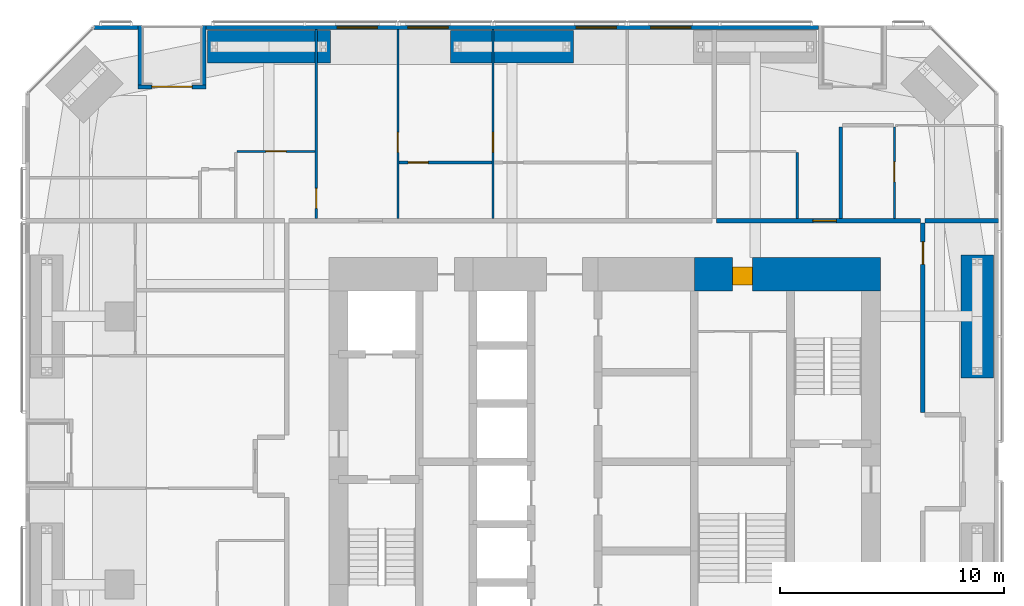
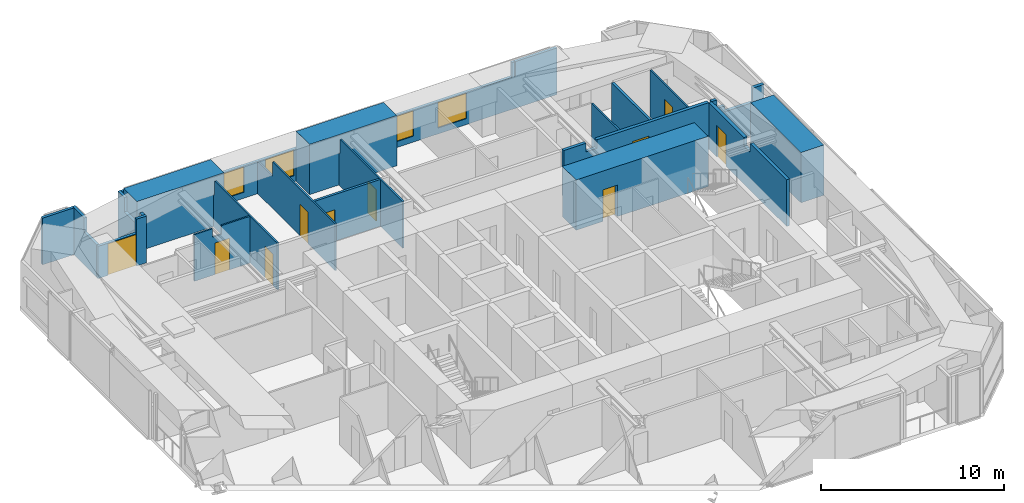
# One storey, part 21 of 23: 21 walls, 10 doors, 4 windows, 14 openings.
"""IFC4 building model written with IfcOpenShell, lengths in metres."""

from ifc_helpers import new_model, si_unit, direction, frame, frame_2d, origin, place, context, subcontext, project, spatial, polyline, rectangle, outline, extrude, material, layer, layer_set, constituent, constituent_set, type_object, element, fill, save


model = new_model("IFC4")

# Units and contexts
model_context = context("Model", 3, precision=1e-05, world=origin(), true_north=direction((0.0, 1.0)))
body_context = subcontext(model_context, "Body", "Model", "MODEL_VIEW")
ifc_project = project(units=[si_unit("LENGTHUNIT", "METRE"), si_unit("AREAUNIT", "SQUARE_METRE"), si_unit("VOLUMEUNIT", "CUBIC_METRE"), si_unit("PLANEANGLEUNIT", "RADIAN"), si_unit("MASSUNIT", "GRAM", prefix="KILO")], contexts=[model_context])

# Site, building, storey
site_placement = place(None, origin())
site = spatial("IfcSite", under=ifc_project, at=site_placement, CompositionType="ELEMENT")
building_placement = place(site_placement, origin())
building = spatial("IfcBuilding", under=site, at=building_placement, Name="Jalousie Tower", CompositionType="ELEMENT")
storey_placement = place(building_placement, frame((0.0, 0.0, 118.25)))
storey = spatial("IfcBuildingStorey", under=building, at=storey_placement, Name="L32", CompositionType="ELEMENT", Elevation=118.25)

# Wall, opening, door
ifc_material_1 = material(Name="Concrete block ASTM C90", Category="concrete")
ifc_constituent_1 = constituent(ifc_material_1, Name="Body")
ifc_material_2 = material(Name="Render")
ifc_constituent_2 = constituent(ifc_material_2, Name="Finish")
ifc_constituent_set_1 = constituent_set(constituents=[ifc_constituent_1, ifc_constituent_2])
wall_type_1 = type_object("IfcWallType", Name="BATHROOM WALL 150", PredefinedType="PLUMBINGWALL", material=ifc_constituent_set_1)
wall_1_placement = place(storey_placement, frame((22.699951171875, 31.875, 0.0), z_axis=(0.0, 0.0, 1.0), x_axis=(1.0, 0.0, 0.0)))
wall_1 = element("IfcWall", 1, at=wall_1_placement, inside=storey, type_object=wall_type_1, Name="Bathroom Wall 150 L32", PredefinedType="PLUMBINGWALL", context=body_context, shape_type="SweptSolid", body=[
    extrude(rectangle(XDim=4.150146484375, YDim=0.14990234375, at=frame_2d((2.0751953125, 0.0))), origin(), (0.0, 0.0, 1.0), 3.110107421875),
])
opening_1_placement = place(wall_1_placement, frame((0.39990234375, 0.0, 0.0)))
opening_1 = element("IfcOpeningElement", 2, at=opening_1_placement, cuts=wall_1, Name="Opening D3", PredefinedType="OPENING", context=body_context, shape_type="SweptSolid", body=[
    extrude(rectangle(XDim=0.89990234375, YDim=2.10009765625, at=frame_2d((0.449951171875, 1.050048828125))), frame((0.0, 0.0849609375, 0.0), z_axis=(0.0, -1.0, 0.0), x_axis=(1.0, 0.0, 0.0)), (0.0, 0.0, 1.0), 0.169921875),
])
ifc_material_3 = material(Name="Timber door", Category="wood")
door_type_1 = type_object("IfcDoorType", Name="BATHROOM DOOR 900", OperationType="SINGLE_SWING_LEFT", PredefinedType="DOOR", material=ifc_material_3)
door_1_placement = place(opening_1_placement, frame((0.89990234375, 0.0, 0.0), z_axis=(0.0, 0.0, 1.0), x_axis=(-1.0, 0.0, 0.0)))
door_1 = element("IfcDoor", 3, at=door_1_placement, inside=storey, type_object=door_type_1, Name="Apartment 3203 bedroom 1 bathroom door", OperationType="SINGLE_SWING_RIGHT", OverallHeight=2.10009765625, OverallWidth=0.89990234375, PredefinedType="DOOR", context=body_context, shape_type="SweptSolid", body=[
    extrude(rectangle(XDim=0.89990234375, YDim=2.10009765625, at=frame_2d((0.449951171875, 1.050048828125))), frame((0.0, 0.02490234375, 0.0), z_axis=(0.0, -1.0, 0.0), x_axis=(1.0, 0.0, 0.0)), (0.0, 0.0, 1.0), 0.050048828125),
])
fill(opening_1, door_1)

# Wall
wall_2_placement = place(storey_placement, frame((42.449951171875, 33.461181640625, 0.0), z_axis=(0.0, 0.0, 1.0), x_axis=(0.0, -1.0, 0.0)))
element("IfcWall", 4, at=wall_2_placement, inside=storey, type_object=wall_type_1, Name="Bathroom Wall 150 L32", PredefinedType="PLUMBINGWALL", context=body_context, shape_type="SweptSolid", body=[
    extrude(rectangle(XDim=4.086181640625, YDim=0.14990234375, at=frame_2d((2.04296875, 0.0))), origin(), (0.0, 0.0, 1.0), 3.110107421875),
])

# Wall, opening, door
ifc_material_4 = material(Name="Concrete f'c 120 MPa", Category="concrete")
ifc_layer_1 = layer(ifc_material_4, 1.5)
ifc_layer_set_1 = layer_set([ifc_layer_1], Name="Concrete f'c 120 MPa")
wall_type_2 = type_object("IfcWallType", Name="CORE WALL 1500", PredefinedType="SHEAR", material=ifc_layer_set_1)
wall_3_placement = place(storey_placement, frame((44.22509765625, 26.875, 0.0), z_axis=(0.0, 0.0, 1.0), x_axis=(-1.0, 0.0, 0.0)))
wall_3 = element("IfcWall", 5, at=wall_3_placement, inside=storey, type_object=wall_type_2, Name="Core wall NA L32", PredefinedType="SHEAR", context=body_context, shape_type="SweptSolid", body=[
    extrude(rectangle(XDim=8.3251953125, YDim=1.5, at=frame_2d((4.16259765625, 0.0))), origin(), (0.0, 0.0, 1.0), 3.35009765625),
])
opening_2_placement = place(wall_3_placement, frame((5.72509765625, 0.0, 0.0)))
opening_2 = element("IfcOpeningElement", 6, at=opening_2_placement, cuts=wall_3, Name="Opening D25", PredefinedType="OPENING", context=body_context, shape_type="SweptSolid", body=[
    extrude(rectangle(XDim=0.89990234375, YDim=2.10009765625, at=frame_2d((0.449951171875, 1.050048828125))), frame((0.0, 0.760009765625, 0.0), z_axis=(0.0, -1.0, 0.0), x_axis=(1.0, 0.0, 0.0)), (0.0, 0.0, 1.0), 1.52001953125),
])
ifc_material_5 = material(Name="Steel fire door", Category="steel")
door_type_2 = type_object("IfcDoorType", Name="SERVICE LOBBY DOOR 900", OperationType="SINGLE_SWING_LEFT", PredefinedType="DOOR", material=ifc_material_5)
door_2_placement = place(opening_2_placement, origin())
door_2 = element("IfcDoor", 7, at=door_2_placement, inside=storey, type_object=door_type_2, Name="Service lobby door", OperationType="SINGLE_SWING_LEFT", OverallHeight=2.10009765625, OverallWidth=0.89990234375, PredefinedType="DOOR", context=body_context, shape_type="SweptSolid", body=[
    extrude(rectangle(XDim=0.89990234375, YDim=2.10009765625, at=frame_2d((0.449951171875, 1.050048828125))), frame((0.0, 0.47021484375, 0.0), z_axis=(0.0, -1.0, 0.0), x_axis=(1.0, 0.0, 0.0)), (0.0, 0.0, 1.0), 0.800048828125),
])
fill(opening_2, door_2)

ifc_material_6 = material(Name="Concrete block ASTM C90", Category="concrete")
ifc_constituent_3 = constituent(ifc_material_6, Name="Body")
ifc_material_7 = material(Name="Render")
ifc_constituent_4 = constituent(ifc_material_7, Name="Finish")
ifc_constituent_set_2 = constituent_set(constituents=[ifc_constituent_3, ifc_constituent_4])
wall_type_3 = type_object("IfcWallType", Name="CORRIDOR WALL 200", PredefinedType="PARTITIONING", material=ifc_constituent_set_2)
wall_4_placement = place(storey_placement, frame((36.89990234375, 29.27490234375, 0.0), z_axis=(0.0, 0.0, 1.0), x_axis=(1.0, 0.0, 0.0)))
wall_4 = element("IfcWall", 8, at=wall_4_placement, inside=storey, type_object=wall_type_3, Name="Corridor Wall 200 L32", PredefinedType="PARTITIONING", context=body_context, shape_type="SweptSolid", body=[
    extrude(outline(polyline([(0.0, 0.0), (9.125, 0.0), (9.125, 3.110107421875), (2.0625, 3.110107421875), (2.0625, 2.541015625), (1.3876953125, 2.541015625), (1.3876953125, 3.110107421875), (0.0, 3.110107421875), (0.0, 0.0)])), frame((0.0, 0.10009765625, 0.0), z_axis=(0.0, -1.0, 0.0), x_axis=(1.0, 0.0, 0.0)), (0.0, 0.0, 1.0), 0.199951171875),
])
opening_3_placement = place(wall_4_placement, frame((4.300048828125, 0.0, 0.0)))
opening_3 = element("IfcOpeningElement", 9, at=opening_3_placement, cuts=wall_4, Name="Opening D1", PredefinedType="OPENING", context=body_context, shape_type="SweptSolid", body=[
    extrude(rectangle(XDim=1.050048828125, YDim=2.199951171875, at=frame_2d((0.52490234375, 1.10009765625))), frame((0.0, 0.10986328125, 0.0), z_axis=(0.0, -1.0, 0.0), x_axis=(1.0, 0.0, 0.0)), (0.0, 0.0, 1.0), 0.219970703125),
])
ifc_material_8 = material(Name="Timber fire door", Category="wood")
door_type_3 = type_object("IfcDoorType", Name="APARTMENT ENTRANCE DOOR 1050", OperationType="SINGLE_SWING_LEFT", PredefinedType="DOOR", material=ifc_material_8)
door_3_placement = place(opening_3_placement, origin())
door_3 = element("IfcDoor", 10, at=door_3_placement, inside=storey, type_object=door_type_3, Name="Apartment 3204 entrance", OperationType="SINGLE_SWING_RIGHT", OverallHeight=2.199951171875, OverallWidth=1.050048828125, PredefinedType="DOOR", context=body_context, shape_type="SweptSolid", body=[
    extrude(rectangle(XDim=1.050048828125, YDim=2.199951171875, at=frame_2d((0.52490234375, 1.10009765625))), frame((0.0, 0.02490234375, 0.0), z_axis=(0.0, -1.0, 0.0), x_axis=(1.0, 0.0, 0.0)), (0.0, 0.0, 1.0), 0.050048828125),
])
fill(opening_3, door_3)

wall_5_placement = place(storey_placement, frame((46.125, 20.699951171875, 0.0), z_axis=(0.0, 0.0, 1.0), x_axis=(0.0, 1.0, 0.0)))
wall_5 = element("IfcWall", 11, at=wall_5_placement, inside=storey, type_object=wall_type_3, Name="Corridor Wall 200 L32", PredefinedType="PARTITIONING", context=body_context, shape_type="SweptSolid", body=[
    extrude(outline(polyline([(0.0, 0.0), (8.47509765625, 0.0), (8.47509765625, 3.110107421875), (4.63720703125, 3.110107421875), (4.63720703125, 2.541015625), (3.962646484375, 2.541015625), (3.962646484375, 3.110107421875), (0.0, 3.110107421875), (0.0, 0.0)])), frame((0.0, 0.10009765625, 0.0), z_axis=(0.0, -1.0, 0.0), x_axis=(1.0, 0.0, 0.0)), (0.0, 0.0, 1.0), 0.199951171875),
])
opening_4_placement = place(wall_5_placement, frame((6.625, 0.0, 0.0)))
opening_4 = element("IfcOpeningElement", 12, at=opening_4_placement, cuts=wall_5, Name="Opening D21", PredefinedType="OPENING", context=body_context, shape_type="SweptSolid", body=[
    extrude(rectangle(XDim=1.0, YDim=2.10009765625, at=frame_2d((0.5, 1.050048828125))), frame((0.0, 0.10986328125, 0.0), z_axis=(0.0, -1.0, 0.0), x_axis=(1.0, 0.0, 0.0)), (0.0, 0.0, 1.0), 0.219970703125),
])
ifc_material_9 = material(Name="Timber fire door", Category="wood")
door_type_4 = type_object("IfcDoorType", Name="CORRIDOR DOOR 1000", OperationType="SINGLE_SWING_LEFT", PredefinedType="DOOR", material=ifc_material_9)
door_4_placement = place(opening_4_placement, frame((1.0, 0.0, 0.0), z_axis=(0.0, 0.0, 1.0), x_axis=(-1.0, 0.0, 0.0)))
door_4 = element("IfcDoor", 13, at=door_4_placement, inside=storey, type_object=door_type_4, Name="Lounge second door", OperationType="SINGLE_SWING_LEFT", OverallHeight=2.10009765625, OverallWidth=1.0, PredefinedType="DOOR", context=body_context, shape_type="SweptSolid", body=[
    extrude(rectangle(XDim=1.0, YDim=2.10009765625, at=frame_2d((0.5, 1.050048828125))), frame((0.0, 0.02490234375, 0.0), z_axis=(0.0, -1.0, 0.0), x_axis=(1.0, 0.0, 0.0)), (0.0, 0.0, 1.0), 0.050048828125),
])
fill(opening_4, door_4)

# Wall, openings, windows
ifc_material_10 = material(Name="Concrete f'c 40 MPa", Category="concrete")
ifc_constituent_5 = constituent(ifc_material_10, Name="Body")
ifc_material_11 = material(Name="Render, pastel sea green")
ifc_constituent_6 = constituent(ifc_material_11, Name="Finish")
ifc_constituent_set_3 = constituent_set(constituents=[ifc_constituent_5, ifc_constituent_6])
wall_type_4 = type_object("IfcWallType", Name="EXTERNAL WALL 175 SEA GREEN RENDER", PredefinedType="SOLIDWALL", material=ifc_constituent_set_3)
wall_6_placement = place(storey_placement, frame((41.44873046875, 37.91259765625, 0.0), z_axis=(0.0, 0.0, 1.0), x_axis=(-1.0, 0.0, 0.0)))
wall_6 = element("IfcWall", 14, at=wall_6_placement, inside=storey, type_object=wall_type_4, Name="External Wall 175 Sea Green Render L32", PredefinedType="SOLIDWALL", context=body_context, shape_type="SweptSolid", body=[
    extrude(outline(polyline([(0.0, 0.0), (27.373779296875, 0.0), (27.373779296875, 3.110107421875), (24.777099609375, 3.110107421875), (24.777099609375, 2.14990234375), (24.731689453125, 2.14990234375), (24.731689453125, 3.110107421875), (24.57373046875, 3.110107421875), (24.57373046875, 2.14990234375), (2.82373046875, 2.14990234375), (2.82373046875, 3.110107421875), (2.66552734375, 3.110107421875), (2.66552734375, 2.14990234375), (2.620361328125, 2.14990234375), (2.620361328125, 3.110107421875), (0.0, 3.110107421875), (0.0, 0.0)])), frame((0.0, 0.08740234375, 0.0), z_axis=(0.0, -1.0, 0.0), x_axis=(1.0, 0.0, 0.0)), (0.0, 0.0, 1.0), 0.175048828125),
])
opening_5_placement = place(wall_6_placement, frame((5.69873046875, 0.0, 0.39990234375)))
opening_5 = element("IfcOpeningElement", 15, at=opening_5_placement, cuts=wall_6, Name="Opening W-BED170", PredefinedType="OPENING", context=body_context, shape_type="SweptSolid", body=[
    extrude(rectangle(XDim=1.800048828125, YDim=1.699951171875, at=frame_2d((0.89990234375, 0.85009765625))), frame((0.0, 0.097412109375, 0.0), z_axis=(0.0, -1.0, 0.0), x_axis=(1.0, 0.0, 0.0)), (0.0, 0.0, 1.0), 0.195068359375),
])
opening_6_placement = place(wall_6_placement, frame((9.03369140625, 0.0, 0.39990234375)))
opening_6 = element("IfcOpeningElement", 16, at=opening_6_placement, cuts=wall_6, Name="Opening W-BED170", PredefinedType="OPENING", context=body_context, shape_type="SweptSolid", body=[
    extrude(rectangle(XDim=1.800048828125, YDim=1.699951171875, at=frame_2d((0.89990234375, 0.85009765625))), frame((0.0, 0.097412109375, 0.0), z_axis=(0.0, -1.0, 0.0), x_axis=(1.0, 0.0, 0.0)), (0.0, 0.0, 1.0), 0.195068359375),
])
opening_7_placement = place(wall_6_placement, frame((16.5576171875, 0.0, 0.39990234375)))
opening_7 = element("IfcOpeningElement", 17, at=opening_7_placement, cuts=wall_6, Name="Opening W-BED170", PredefinedType="OPENING", context=body_context, shape_type="SweptSolid", body=[
    extrude(rectangle(XDim=1.800048828125, YDim=1.699951171875, at=frame_2d((0.89990234375, 0.85009765625))), frame((0.0, 0.097412109375, 0.0), z_axis=(0.0, -1.0, 0.0), x_axis=(1.0, 0.0, 0.0)), (0.0, 0.0, 1.0), 0.195068359375),
])
opening_8_placement = place(wall_6_placement, frame((19.7236328125, 0.0, 0.39990234375)))
opening_8 = element("IfcOpeningElement", 18, at=opening_8_placement, cuts=wall_6, Name="Opening W-BED170", PredefinedType="OPENING", context=body_context, shape_type="SweptSolid", body=[
    extrude(rectangle(XDim=1.800048828125, YDim=1.699951171875, at=frame_2d((0.89990234375, 0.85009765625))), frame((0.0, 0.097412109375, 0.0), z_axis=(0.0, -1.0, 0.0), x_axis=(1.0, 0.0, 0.0)), (0.0, 0.0, 1.0), 0.195068359375),
])
ifc_material_12 = material(Name="Aluminium frame, impact-rated glazing", Category="aluminium")
window_type = type_object("IfcWindowType", Name="WINDOW BED 1800x1700", PartitioningType="SINGLE_PANEL", PredefinedType="WINDOW", material=ifc_material_12)
window_1_placement = place(opening_5_placement, origin())
window_1 = element("IfcWindow", 19, at=window_1_placement, inside=storey, type_object=window_type, Name="Apartment 3203 bedroom 3 window", OverallHeight=1.699951171875, OverallWidth=1.800048828125, PartitioningType="SINGLE_PANEL", PredefinedType="WINDOW", context=body_context, shape_type="SweptSolid", body=[
    extrude(rectangle(XDim=1.800048828125, YDim=1.699951171875, at=frame_2d((0.89990234375, 0.85009765625))), frame((0.0, 0.030029296875, 0.0), z_axis=(0.0, -1.0, 0.0), x_axis=(1.0, 0.0, 0.0)), (0.0, 0.0, 1.0), 0.06005859375),
])
fill(opening_5, window_1)
window_2_placement = place(opening_6_placement, origin())
window_2 = element("IfcWindow", 20, at=window_2_placement, inside=storey, type_object=window_type, Name="Apartment 3203 bedroom 2 window", OverallHeight=1.699951171875, OverallWidth=1.800048828125, PartitioningType="SINGLE_PANEL", PredefinedType="WINDOW", context=body_context, shape_type="SweptSolid", body=[
    extrude(rectangle(XDim=1.800048828125, YDim=1.699951171875, at=frame_2d((0.89990234375, 0.85009765625))), frame((0.0, 0.030029296875, 0.0), z_axis=(0.0, -1.0, 0.0), x_axis=(1.0, 0.0, 0.0)), (0.0, 0.0, 1.0), 0.06005859375),
])
fill(opening_6, window_2)
window_3_placement = place(opening_7_placement, origin())
window_3 = element("IfcWindow", 21, at=window_3_placement, inside=storey, type_object=window_type, Name="Apartment 3203 bedroom 1 window", OverallHeight=1.699951171875, OverallWidth=1.800048828125, PartitioningType="SINGLE_PANEL", PredefinedType="WINDOW", context=body_context, shape_type="SweptSolid", body=[
    extrude(rectangle(XDim=1.800048828125, YDim=1.699951171875, at=frame_2d((0.89990234375, 0.85009765625))), frame((0.0, 0.030029296875, 0.0), z_axis=(0.0, -1.0, 0.0), x_axis=(1.0, 0.0, 0.0)), (0.0, 0.0, 1.0), 0.06005859375),
])
fill(opening_7, window_3)
window_4_placement = place(opening_8_placement, origin())
window_4 = element("IfcWindow", 22, at=window_4_placement, inside=storey, type_object=window_type, Name="Apartment 3203 study window", OverallHeight=1.699951171875, OverallWidth=1.800048828125, PartitioningType="SINGLE_PANEL", PredefinedType="WINDOW", context=body_context, shape_type="SweptSolid", body=[
    extrude(rectangle(XDim=1.800048828125, YDim=1.699951171875, at=frame_2d((0.89990234375, 0.85009765625))), frame((0.0, 0.030029296875, 0.0), z_axis=(0.0, -1.0, 0.0), x_axis=(1.0, 0.0, 0.0)), (0.0, 0.0, 1.0), 0.06005859375),
])
fill(opening_8, window_4)

# Walls
wall_7_placement = place(storey_placement, frame((11.02490234375, 37.91259765625, 0.0), z_axis=(0.0, 0.0, 1.0), x_axis=(-1.0, 0.0, 0.0)))
element("IfcWall", 23, at=wall_7_placement, inside=storey, type_object=wall_type_4, Name="External Wall 175 Sea Green Render L32", PredefinedType="SOLIDWALL", context=body_context, shape_type="SweptSolid", body=[
    extrude(rectangle(XDim=1.9736328125, YDim=0.175048828125, at=frame_2d((0.98681640625, 0.0))), origin(), (0.0, 0.0, 1.0), 3.110107421875),
])
wall_8_placement = place(storey_placement, frame((14.074951171875, 35.262451171875, 0.0), z_axis=(0.0, 0.0, 1.0), x_axis=(-1.0, 0.0, 0.0)))
element("IfcWall", 24, at=wall_8_placement, inside=storey, type_object=wall_type_4, Name="External Wall 175 Sea Green Render L32-A", PredefinedType="SOLIDWALL", context=body_context, shape_type="SweptSolid", body=[
    extrude(rectangle(XDim=0.625, YDim=0.175048828125, at=frame_2d((0.3125, 0.0))), origin(), (0.0, 0.0, 1.0), 3.110107421875),
])

# Wall, opening, door
wall_9_placement = place(storey_placement, frame((13.449951171875, 35.262451171875, 0.0), z_axis=(0.0, 0.0, 1.0), x_axis=(-1.0, 0.0, 0.0)))
wall_9 = element("IfcWall", 25, at=wall_9_placement, inside=storey, type_object=wall_type_4, Name="External Wall 175 Sea Green Render L32-B", PredefinedType="SOLIDWALL", context=body_context, shape_type="SweptSolid", body=[
    extrude(rectangle(XDim=2.425048828125, YDim=0.175048828125, at=frame_2d((1.21240234375, 0.0))), origin(), (0.0, 0.0, 1.0), 2.14990234375),
])
opening_9_placement = place(wall_9_placement, origin())
opening_9 = element("IfcOpeningElement", 26, at=opening_9_placement, cuts=wall_9, Name="Opening D-BAL21", PredefinedType="OPENING", context=body_context, shape_type="SweptSolid", body=[
    extrude(rectangle(XDim=1.800048828125, YDim=2.10009765625, at=frame_2d((0.89990234375, 1.050048828125))), frame((0.0, 0.097412109375, 0.0), z_axis=(0.0, -1.0, 0.0), x_axis=(1.0, 0.0, 0.0)), (0.0, 0.0, 1.0), 0.195068359375),
])
ifc_material_13 = material(Name="Aluminium frame, impact-rated glazing", Category="aluminium")
door_type_5 = type_object("IfcDoorType", Name="BALCONY DOOR 1800x2100", OperationType="SLIDING_TO_LEFT", PredefinedType="DOOR", material=ifc_material_13)
door_5_placement = place(opening_9_placement, origin())
door_5 = element("IfcDoor", 27, at=door_5_placement, inside=storey, type_object=door_type_5, Name="Apartment 3203 living and dining room loggia door", OperationType="SLIDING_TO_LEFT", OverallHeight=2.10009765625, OverallWidth=1.800048828125, PredefinedType="DOOR", context=body_context, shape_type="SweptSolid", body=[
    extrude(rectangle(XDim=1.800048828125, YDim=2.10009765625, at=frame_2d((0.89990234375, 1.050048828125))), frame((0.0, 0.02490234375, 0.0), z_axis=(0.0, -1.0, 0.0), x_axis=(1.0, 0.0, 0.0)), (0.0, 0.0, 1.0), 0.050048828125),
])
fill(opening_9, door_5)

# Walls
wall_10_placement = place(storey_placement, frame((13.987548828125, 38.0, 0.0), z_axis=(0.0, 0.0, 1.0), x_axis=(0.0, -1.0, 0.0)))
element("IfcWall", 28, at=wall_10_placement, inside=storey, type_object=wall_type_4, Name="External Wall 175 Sea Green Render L32", PredefinedType="SOLIDWALL", context=body_context, shape_type="SweptSolid", body=[
    extrude(outline(polyline([(0.0, 0.0), (2.64990234375, 0.0), (2.64990234375, 3.110107421875), (2.373291015625, 3.110107421875), (2.373291015625, 2.14990234375), (0.70458984375, 2.14990234375), (0.70458984375, 3.110107421875), (0.0, 3.110107421875), (0.0, 0.0)])), frame((0.0, 0.08740234375, 0.0), z_axis=(0.0, -1.0, 0.0), x_axis=(1.0, 0.0, 0.0)), (0.0, 0.0, 1.0), 0.175048828125),
])
wall_11_placement = place(storey_placement, frame((11.112548828125, 38.0, 0.0), z_axis=(0.0, 0.0, 1.0), x_axis=(0.0, -1.0, 0.0)))
element("IfcWall", 29, at=wall_11_placement, inside=storey, type_object=wall_type_4, Name="External Wall 175 Sea Green Render L32", PredefinedType="SOLIDWALL", context=body_context, shape_type="SweptSolid", body=[
    extrude(outline(polyline([(0.0, 0.0), (2.64990234375, 0.0), (2.64990234375, 2.14990234375), (1.291015625, 2.14990234375), (1.291015625, 3.110107421875), (0.0, 3.110107421875), (0.0, 0.0)])), frame((0.0, 0.08740234375, 0.0), z_axis=(0.0, -1.0, 0.0), x_axis=(1.0, 0.0, 0.0)), (0.0, 0.0, 1.0), 0.175048828125),
])

# Wall, opening, door
ifc_material_14 = material(Name="Gypsum board", Category="gypsum")
ifc_constituent_7 = constituent(ifc_material_14, Name="Body")
ifc_material_15 = material(Name="Light-gauge steel studs ASTM A653 SS Grade 33", Category="steel")
ifc_constituent_8 = constituent(ifc_material_15, Name="Framing")
ifc_constituent_set_4 = constituent_set(constituents=[ifc_constituent_7, ifc_constituent_8])
wall_type_5 = type_object("IfcWallType", Name="PARTITION 100", PredefinedType="PARTITIONING", material=ifc_constituent_set_4)
wall_12_placement = place(storey_placement, frame((22.64990234375, 37.824951171875, 0.0), z_axis=(0.0, 0.0, 1.0), x_axis=(0.0, -1.0, 0.0)))
wall_12 = element("IfcWall", 30, at=wall_12_placement, inside=storey, type_object=wall_type_5, Name="Partition 100 L32", PredefinedType="PARTITIONING", context=body_context, shape_type="SweptSolid", body=[
    extrude(outline(polyline([(0.0, 0.0), (8.449951171875, 0.0), (8.449951171875, 3.110107421875), (1.635009765625, 3.110107421875), (1.635009765625, 2.14990234375), (0.0, 2.14990234375), (0.0, 3.110107421875), (0.0, 0.0)])), frame((0.0, 0.050048828125, 0.0), z_axis=(0.0, -1.0, 0.0), x_axis=(1.0, 0.0, 0.0)), (0.0, 0.0, 1.0), 0.10009765625),
])
opening_10_placement = place(wall_12_placement, frame((4.60009765625, 0.0, 0.0)))
opening_10 = element("IfcOpeningElement", 31, at=opening_10_placement, cuts=wall_12, Name="Opening D2", PredefinedType="OPENING", context=body_context, shape_type="SweptSolid", body=[
    extrude(rectangle(XDim=0.89990234375, YDim=2.10009765625, at=frame_2d((0.449951171875, 1.050048828125))), frame((0.0, 0.06005859375, 0.0), z_axis=(0.0, -1.0, 0.0), x_axis=(1.0, 0.0, 0.0)), (0.0, 0.0, 1.0), 0.1201171875),
])
ifc_material_16 = material(Name="Timber door", Category="wood")
door_type_6 = type_object("IfcDoorType", Name="BEDROOM DOOR 900", OperationType="SINGLE_SWING_LEFT", PredefinedType="DOOR", material=ifc_material_16)
door_6_placement = place(opening_10_placement, origin())
door_6 = element("IfcDoor", 32, at=door_6_placement, inside=storey, type_object=door_type_6, Name="Apartment 3203 bedroom 1 door", OperationType="SINGLE_SWING_RIGHT", OverallHeight=2.10009765625, OverallWidth=0.89990234375, PredefinedType="DOOR", context=body_context, shape_type="SweptSolid", body=[
    extrude(rectangle(XDim=0.89990234375, YDim=2.10009765625, at=frame_2d((0.449951171875, 1.050048828125))), frame((0.0, 0.02490234375, 0.0), z_axis=(0.0, -1.0, 0.0), x_axis=(1.0, 0.0, 0.0)), (0.0, 0.0, 1.0), 0.050048828125),
])
fill(opening_10, door_6)

wall_13_placement = place(storey_placement, frame((26.89990234375, 37.824951171875, 0.0), z_axis=(0.0, 0.0, 1.0), x_axis=(0.0, -1.0, 0.0)))
wall_13 = element("IfcWall", 33, at=wall_13_placement, inside=storey, type_object=wall_type_5, Name="Partition 100 L32", PredefinedType="PARTITIONING", context=body_context, shape_type="SweptSolid", body=[
    extrude(outline(polyline([(0.52880859375, 2.14990234375), (0.0, 2.14990234375), (0.0, 0.0), (0.52880859375, 0.0), (0.52880859375, 0.888916015625), (1.021240234375, 0.888916015625), (1.021240234375, 0.0), (8.449951171875, 0.0), (8.449951171875, 3.110107421875), (1.635009765625, 3.110107421875), (1.635009765625, 2.14990234375), (1.021240234375, 2.14990234375), (1.021240234375, 1.26123046875), (0.52880859375, 1.26123046875), (0.52880859375, 2.14990234375)])), frame((0.0, 0.050048828125, 0.0), z_axis=(0.0, -1.0, 0.0), x_axis=(1.0, 0.0, 0.0)), (0.0, 0.0, 1.0), 0.10009765625),
])
opening_11_placement = place(wall_13_placement, frame((4.60009765625, 0.0, 0.0)))
opening_11 = element("IfcOpeningElement", 34, at=opening_11_placement, cuts=wall_13, Name="Opening D2", PredefinedType="OPENING", context=body_context, shape_type="SweptSolid", body=[
    extrude(rectangle(XDim=0.89990234375, YDim=2.10009765625, at=frame_2d((0.449951171875, 1.050048828125))), frame((0.0, 0.06005859375, 0.0), z_axis=(0.0, -1.0, 0.0), x_axis=(1.0, 0.0, 0.0)), (0.0, 0.0, 1.0), 0.1201171875),
])
door_7_placement = place(opening_11_placement, origin())
door_7 = element("IfcDoor", 35, at=door_7_placement, inside=storey, type_object=door_type_6, Name="Apartment 3203 bedroom 2 door", OperationType="SINGLE_SWING_RIGHT", OverallHeight=2.10009765625, OverallWidth=0.89990234375, PredefinedType="DOOR", context=body_context, shape_type="SweptSolid", body=[
    extrude(rectangle(XDim=0.89990234375, YDim=2.10009765625, at=frame_2d((0.449951171875, 1.050048828125))), frame((0.0, 0.02490234375, 0.0), z_axis=(0.0, -1.0, 0.0), x_axis=(1.0, 0.0, 0.0)), (0.0, 0.0, 1.0), 0.050048828125),
])
fill(opening_11, door_7)

wall_14_placement = place(storey_placement, frame((19.0, 37.824951171875, 0.0), z_axis=(0.0, 0.0, 1.0), x_axis=(0.0, -1.0, 0.0)))
wall_14 = element("IfcWall", 36, at=wall_14_placement, inside=storey, type_object=wall_type_5, Name="Partition 100 L32", PredefinedType="PARTITIONING", context=body_context, shape_type="SweptSolid", body=[
    extrude(outline(polyline([(0.52880859375, 2.14990234375), (0.0, 2.14990234375), (0.0, 0.0), (0.52880859375, 0.0), (0.52880859375, 0.01708984375), (1.021240234375, 0.01708984375), (1.021240234375, 0.0), (8.449951171875, 0.0), (8.449951171875, 3.110107421875), (1.635009765625, 3.110107421875), (1.635009765625, 2.14990234375), (1.021240234375, 2.14990234375), (1.021240234375, 2.1328125), (0.52880859375, 2.1328125), (0.52880859375, 2.14990234375)])), frame((0.0, 0.050048828125, 0.0), z_axis=(0.0, -1.0, 0.0), x_axis=(1.0, 0.0, 0.0)), (0.0, 0.0, 1.0), 0.10009765625),
])
opening_12_placement = place(wall_14_placement, frame((7.10009765625, 0.0, 0.0)))
opening_12 = element("IfcOpeningElement", 37, at=opening_12_placement, cuts=wall_14, Name="Opening D2", PredefinedType="OPENING", context=body_context, shape_type="SweptSolid", body=[
    extrude(rectangle(XDim=0.89990234375, YDim=2.10009765625, at=frame_2d((0.449951171875, 1.050048828125))), frame((0.0, 0.06005859375, 0.0), z_axis=(0.0, -1.0, 0.0), x_axis=(1.0, 0.0, 0.0)), (0.0, 0.0, 1.0), 0.1201171875),
])
door_8_placement = place(opening_12_placement, origin())
door_8 = element("IfcDoor", 38, at=door_8_placement, inside=storey, type_object=door_type_6, Name="Apartment 3203 study door", OperationType="SINGLE_SWING_RIGHT", OverallHeight=2.10009765625, OverallWidth=0.89990234375, PredefinedType="DOOR", context=body_context, shape_type="SweptSolid", body=[
    extrude(rectangle(XDim=0.89990234375, YDim=2.10009765625, at=frame_2d((0.449951171875, 1.050048828125))), frame((0.0, 0.02490234375, 0.0), z_axis=(0.0, -1.0, 0.0), x_axis=(1.0, 0.0, 0.0)), (0.0, 0.0, 1.0), 0.050048828125),
])
fill(opening_12, door_8)

wall_15_placement = place(storey_placement, frame((15.449951171875, 32.375, 0.0), z_axis=(0.0, 0.0, 1.0), x_axis=(1.0, 0.0, 0.0)))
wall_15 = element("IfcWall", 39, at=wall_15_placement, inside=storey, type_object=wall_type_5, Name="Partition 100 L32", PredefinedType="PARTITIONING", context=body_context, shape_type="SweptSolid", body=[
    extrude(outline(polyline([(0.0, 0.0), (3.5, 0.0), (3.5, 3.110107421875), (1.71240234375, 3.110107421875), (1.71240234375, 2.541015625), (1.1376953125, 2.541015625), (1.1376953125, 3.110107421875), (0.0, 3.110107421875), (0.0, 0.0)])), frame((0.0, 0.050048828125, 0.0), z_axis=(0.0, -1.0, 0.0), x_axis=(1.0, 0.0, 0.0)), (0.0, 0.0, 1.0), 0.10009765625),
])
opening_13_placement = place(wall_15_placement, frame((1.300048828125, 0.0, 0.0)))
opening_13 = element("IfcOpeningElement", 40, at=opening_13_placement, cuts=wall_15, Name="Opening D7", PredefinedType="OPENING", context=body_context, shape_type="SweptSolid", body=[
    extrude(rectangle(XDim=0.89990234375, YDim=2.10009765625, at=frame_2d((0.449951171875, 1.050048828125))), frame((0.0, 0.06005859375, 0.0), z_axis=(0.0, -1.0, 0.0), x_axis=(1.0, 0.0, 0.0)), (0.0, 0.0, 1.0), 0.1201171875),
])
ifc_material_17 = material(Name="Timber door", Category="wood")
door_type_7 = type_object("IfcDoorType", Name="INTERNAL DOOR 900", OperationType="SINGLE_SWING_LEFT", PredefinedType="DOOR", material=ifc_material_17)
door_9_placement = place(opening_13_placement, origin())
door_9 = element("IfcDoor", 41, at=door_9_placement, inside=storey, type_object=door_type_7, Name="Apartment 3203 kitchen door", OperationType="SINGLE_SWING_RIGHT", OverallHeight=2.10009765625, OverallWidth=0.89990234375, PredefinedType="DOOR", context=body_context, shape_type="SweptSolid", body=[
    extrude(rectangle(XDim=0.89990234375, YDim=2.10009765625, at=frame_2d((0.449951171875, 1.050048828125))), frame((0.0, 0.02490234375, 0.0), z_axis=(0.0, -1.0, 0.0), x_axis=(1.0, 0.0, 0.0)), (0.0, 0.0, 1.0), 0.050048828125),
])
fill(opening_13, door_9)

wall_16_placement = place(storey_placement, frame((44.85009765625, 33.461181640625, 0.0), z_axis=(0.0, 0.0, 1.0), x_axis=(0.0, -1.0, 0.0)))
wall_16 = element("IfcWall", 42, at=wall_16_placement, inside=storey, type_object=wall_type_5, Name="Partition 100 L32", PredefinedType="PARTITIONING", context=body_context, shape_type="SweptSolid", body=[
    extrude(rectangle(XDim=4.086181640625, YDim=0.10009765625, at=frame_2d((2.04296875, 0.0))), origin(), (0.0, 0.0, 1.0), 3.110107421875),
])
opening_14_placement = place(wall_16_placement, frame((1.5556640625, 0.0, 0.0)))
opening_14 = element("IfcOpeningElement", 43, at=opening_14_placement, cuts=wall_16, Name="Opening D3", PredefinedType="OPENING", context=body_context, shape_type="SweptSolid", body=[
    extrude(rectangle(XDim=0.89990234375, YDim=2.10009765625, at=frame_2d((0.449951171875, 1.050048828125))), frame((0.0, 0.06005859375, 0.0), z_axis=(0.0, -1.0, 0.0), x_axis=(1.0, 0.0, 0.0)), (0.0, 0.0, 1.0), 0.1201171875),
])
door_10_placement = place(opening_14_placement, frame((0.89990234375, 0.0, 0.0), z_axis=(0.0, 0.0, 1.0), x_axis=(-1.0, 0.0, 0.0)))
door_10 = element("IfcDoor", 44, at=door_10_placement, inside=storey, type_object=door_type_1, Name="Apartment 3204 bedroom 1 bathroom door", OperationType="SINGLE_SWING_RIGHT", OverallHeight=2.10009765625, OverallWidth=0.89990234375, PredefinedType="DOOR", context=body_context, shape_type="SweptSolid", body=[
    extrude(rectangle(XDim=0.89990234375, YDim=2.10009765625, at=frame_2d((0.449951171875, 1.050048828125))), frame((0.0, 0.02490234375, 0.0), z_axis=(0.0, -1.0, 0.0), x_axis=(1.0, 0.0, 0.0)), (0.0, 0.0, 1.0), 0.050048828125),
])
fill(opening_14, door_10)

# Walls
wall_17_placement = place(storey_placement, frame((40.5, 32.324951171875, 0.0), z_axis=(0.0, 0.0, 1.0), x_axis=(0.0, -1.0, 0.0)))
element("IfcWall", 45, at=wall_17_placement, inside=storey, type_object=wall_type_5, Name="Partition 100 L32", PredefinedType="PARTITIONING", context=body_context, shape_type="SweptSolid", body=[
    extrude(rectangle(XDim=2.949951171875, YDim=0.10009765625, at=frame_2d((1.47509765625, 0.0))), origin(), (0.0, 0.0, 1.0), 3.110107421875),
])
ifc_material_18 = material(Name="Concrete block ASTM C90", Category="concrete")
ifc_constituent_9 = constituent(ifc_material_18, Name="Body")
ifc_material_19 = material(Name="Render")
ifc_constituent_10 = constituent(ifc_material_19, Name="Finish")
ifc_constituent_set_5 = constituent_set(constituents=[ifc_constituent_9, ifc_constituent_10])
wall_type_6 = type_object("IfcWallType", Name="PARTY WALL 200", PredefinedType="PARTITIONING", material=ifc_constituent_set_5)
wall_18_placement = place(storey_placement, frame((46.22509765625, 29.27490234375, 0.0), z_axis=(0.0, 0.0, 1.0), x_axis=(1.0, 0.0, 0.0)))
element("IfcWall", 46, at=wall_18_placement, inside=storey, type_object=wall_type_6, Name="Party Wall 200 L32", PredefinedType="PARTITIONING", context=body_context, shape_type="SweptSolid", body=[
    extrude(outline(polyline([(0.0, 0.0), (3.27490234375, 0.0), (3.27490234375, 3.110107421875), (2.5537109375, 3.110107421875), (2.5537109375, 2.14990234375), (0.80517578125, 2.14990234375), (0.80517578125, 2.541015625), (0.30615234375, 2.541015625), (0.30615234375, 3.110107421875), (0.0, 3.110107421875), (0.0, 0.0)])), frame((0.0, 0.10009765625, 0.0), z_axis=(0.0, -1.0, 0.0), x_axis=(1.0, 0.0, 0.0)), (0.0, 0.0, 1.0), 0.199951171875),
])
ifc_material_20 = material(Name="Concrete f'c 120 MPa", Category="concrete")
ifc_layer_2 = layer(ifc_material_20, 1.449951171875)
ifc_layer_set_2 = layer_set([ifc_layer_2], Name="Concrete f'c 120 MPa")
wall_type_7 = type_object("IfcWallType", Name="RC WALL PIER 1450", PredefinedType="SHEAR", material=ifc_layer_set_2)
for number, where, z_axis, x_axis, name in (
    (47, (48.550048828125, 22.25, 0.0), (0.0, 0.0, 1.0), (0.0, 1.0, 0.0), "Wall pier 07 L32"),
    (48, (25.0, 37.050048828125, 0.0), (0.0, 0.0, 1.0), (1.0, 0.0, 0.0), "Wall pier 10 L32"),
    (49, (14.125, 37.050048828125, 0.0), (0.0, 0.0, 1.0), (1.0, 0.0, 0.0), "Wall pier 11 L32"),
):
    element("IfcWall", number, at=place(storey_placement, frame(where, z_axis=z_axis, x_axis=x_axis)), inside=storey, type_object=wall_type_7, Name=name, PredefinedType="SHEAR", context=body_context, shape_type="SweptSolid", body=[
        extrude(rectangle(XDim=5.5, YDim=1.449951171875, at=frame_2d((2.75, 0.0))), origin(), (0.0, 0.0, 1.0), 3.35009765625),
    ])

save(model, "model.ifc")
